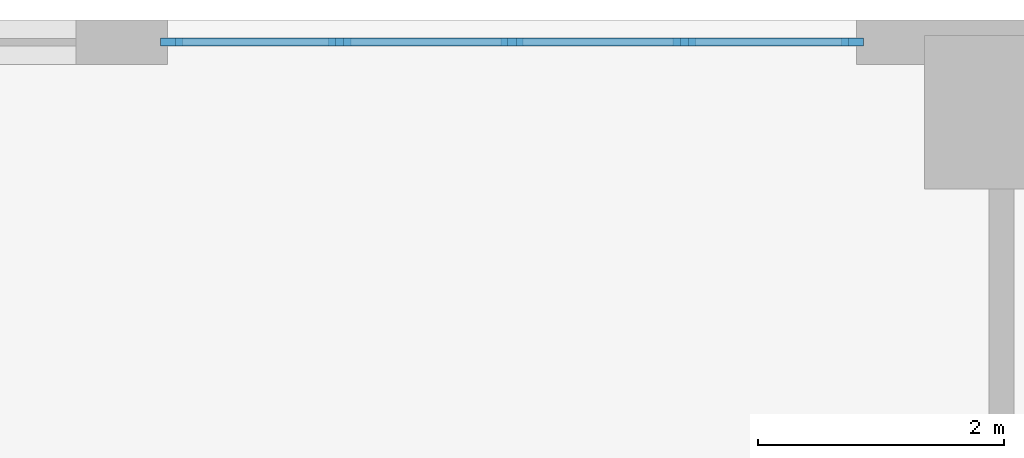
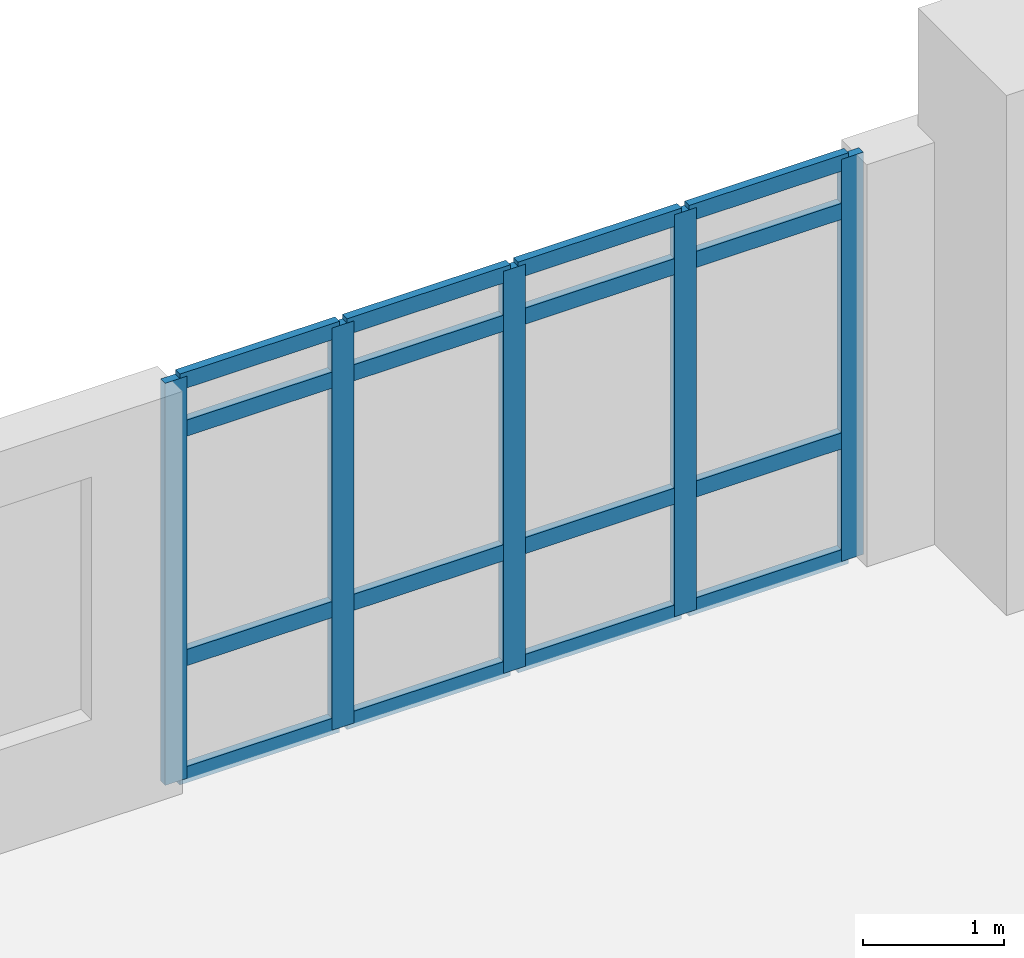
# One storey, part 4 of 16: 21 members, 1 element without a shape of its own.
"""IFC4 building model written with IfcOpenShell, lengths in metres."""

from ifc_helpers import new_model, si_unit, direction, frame, origin, origin_2d, place, context, subcontext, project, spatial, rectangle, extrude, material, material_profile, profile_set, type_object, element, aggregate, save


model = new_model("IFC4")

# Units and contexts
model_context = context("Model", 3, precision=1e-05, world=origin(), true_north=direction((0.0, 1.0)))
body_context = subcontext(model_context, "Body", "Model", "MODEL_VIEW")
ifc_project = project(units=[si_unit("LENGTHUNIT", "METRE"), si_unit("AREAUNIT", "SQUARE_METRE"), si_unit("VOLUMEUNIT", "CUBIC_METRE"), si_unit("PLANEANGLEUNIT", "RADIAN"), si_unit("MASSUNIT", "GRAM", prefix="KILO")], contexts=[model_context])

# Site, building, storey
site_placement = place(None, origin())
site = spatial("IfcSite", under=ifc_project, at=site_placement, CompositionType="ELEMENT")
building_placement = place(site_placement, origin())
building = spatial("IfcBuilding", under=site, at=building_placement, Name="Svetorya Sky Lyceum", CompositionType="ELEMENT")
storey_placement = place(building_placement, frame((0.0, 0.0, 11.10009765625)))
storey = spatial("IfcBuildingStorey", under=building, at=storey_placement, Name="L02", CompositionType="ELEMENT", Elevation=11.10009765625)

# Curtain wall, members
ifc_material_1 = material(Name="Thermally broken anodized aluminium and triple low-E glass", Category="aluminium")
curtain_wall_type = type_object("IfcCurtainWallType", Name="CW2-SCH-RIB", PredefinedType="NOTDEFINED", material=ifc_material_1)
curtain_wall_placement = place(storey_placement, origin())
curtain_wall = element("IfcCurtainWall", 1, at=curtain_wall_placement, inside=storey, type_object=curtain_wall_type, Name="L02 Lyceum Classroom Ribbon Curtain Wall 18", PredefinedType="NOTDEFINED")
ifc_material_2 = material(Name="Thermally broken anodized aluminium EN AW-6060", Category="aluminium")
ifc_material_profile_1 = material_profile(ifc_material_2, rectangle(XDim=0.06494140625, YDim=0.179931640625, at=origin_2d()), Name="ALU MULLION 65x180")
ifc_profile_set_1 = profile_set([ifc_material_profile_1], Name="Thermally broken anodized aluminium EN AW-6060")
member_type_1 = type_object("IfcMemberType", Name="CWM-MUL-180", PredefinedType="MULLION", material=ifc_profile_set_1)
member_1_placement = place(storey_placement, frame((62.137451171875, 56.219970703125, 0.0), z_axis=(0.0, 0.0, 1.0), x_axis=(0.0, -1.0, 0.0)))
member_1 = element("IfcMember", 2, at=member_1_placement, type_object=member_type_1, Name="CW-2 mullion 1", PredefinedType="MULLION", context=body_context, shape_type="SweptSolid", body=[
    extrude(rectangle(XDim=0.06494140625, YDim=0.179931640625, at=origin_2d()), origin(), (0.0, 0.0, 1.0), 3.47998046875),
])
member_2_placement = place(storey_placement, frame((60.77001953125, 56.219970703125, 0.0), z_axis=(0.0, 0.0, 1.0), x_axis=(0.0, -1.0, 0.0)))
member_2 = element("IfcMember", 3, at=member_2_placement, type_object=member_type_1, Name="CW-2 mullion 2", PredefinedType="MULLION", context=body_context, shape_type="SweptSolid", body=[
    extrude(rectangle(XDim=0.06494140625, YDim=0.179931640625, at=origin_2d()), origin(), (0.0, 0.0, 1.0), 3.47998046875),
])
member_3_placement = place(storey_placement, frame((59.3701171875, 56.219970703125, 0.0), z_axis=(0.0, 0.0, 1.0), x_axis=(0.0, -1.0, 0.0)))
member_3 = element("IfcMember", 4, at=member_3_placement, type_object=member_type_1, Name="CW-2 mullion 3", PredefinedType="MULLION", context=body_context, shape_type="SweptSolid", body=[
    extrude(rectangle(XDim=0.06494140625, YDim=0.179931640625, at=origin_2d()), origin(), (0.0, 0.0, 1.0), 3.47998046875),
])
member_4_placement = place(storey_placement, frame((57.969970703125, 56.219970703125, 0.0), z_axis=(0.0, 0.0, 1.0), x_axis=(0.0, -1.0, 0.0)))
member_4 = element("IfcMember", 5, at=member_4_placement, type_object=member_type_1, Name="CW-2 mullion 4", PredefinedType="MULLION", context=body_context, shape_type="SweptSolid", body=[
    extrude(rectangle(XDim=0.06494140625, YDim=0.179931640625, at=origin_2d()), origin(), (0.0, 0.0, 1.0), 3.47998046875),
])
member_5_placement = place(storey_placement, frame((56.6025390625, 56.219970703125, 0.0), z_axis=(0.0, 0.0, 1.0), x_axis=(0.0, -1.0, 0.0)))
member_5 = element("IfcMember", 6, at=member_5_placement, type_object=member_type_1, Name="CW-2 mullion 5", PredefinedType="MULLION", context=body_context, shape_type="SweptSolid", body=[
    extrude(rectangle(XDim=0.06494140625, YDim=0.179931640625, at=origin_2d()), origin(), (0.0, 0.0, 1.0), 3.47998046875),
])
ifc_material_profile_2 = material_profile(ifc_material_2, rectangle(XDim=0.06494140625, YDim=0.139892578125, at=origin_2d()), Name="ALU TRANSOM 65x140")
ifc_profile_set_2 = profile_set([ifc_material_profile_2], Name="Thermally broken anodized aluminium EN AW-6060")
member_type_2 = type_object("IfcMemberType", Name="CWM-TRN-140", PredefinedType="USERDEFINED", material=ifc_profile_set_2)
member_6_placement = place(storey_placement, frame((62.1064453125, 56.219970703125, 0.032470703125), z_axis=(-1.0, 0.0, 0.0), x_axis=(0.0, -1.0, 0.0)))
member_6 = element("IfcMember", 7, at=member_6_placement, type_object=member_type_2, Name="CW-2 transom 1.1", ObjectType="TRANSOM", PredefinedType="USERDEFINED", context=body_context, shape_type="SweptSolid", body=[
    extrude(rectangle(XDim=0.06494140625, YDim=0.139892578125, at=origin_2d()), origin(), (0.0, 0.0, 1.0), 1.305419921875),
])
member_7_placement = place(storey_placement, frame((62.1064453125, 56.219970703125, 1.0439453125), z_axis=(-1.0, 0.0, 0.0), x_axis=(0.0, -1.0, 0.0)))
member_7 = element("IfcMember", 8, at=member_7_placement, type_object=member_type_2, Name="CW-2 transom 1.2", ObjectType="TRANSOM", PredefinedType="USERDEFINED", context=body_context, shape_type="SweptSolid", body=[
    extrude(rectangle(XDim=0.06494140625, YDim=0.139892578125, at=origin_2d()), origin(), (0.0, 0.0, 1.0), 1.305419921875),
])
member_8_placement = place(storey_placement, frame((62.1064453125, 56.219970703125, 3.02978515625), z_axis=(-1.0, 0.0, 0.0), x_axis=(0.0, -1.0, 0.0)))
member_8 = element("IfcMember", 9, at=member_8_placement, type_object=member_type_2, Name="CW-2 transom 1.3", ObjectType="TRANSOM", PredefinedType="USERDEFINED", context=body_context, shape_type="SweptSolid", body=[
    extrude(rectangle(XDim=0.06494140625, YDim=0.139892578125, at=origin_2d()), origin(), (0.0, 0.0, 1.0), 1.305419921875),
])
member_9_placement = place(storey_placement, frame((62.1064453125, 56.219970703125, 3.447509765625), z_axis=(-1.0, 0.0, 0.0), x_axis=(0.0, -1.0, 0.0)))
member_9 = element("IfcMember", 10, at=member_9_placement, type_object=member_type_2, Name="CW-2 transom 1.4", ObjectType="TRANSOM", PredefinedType="USERDEFINED", context=body_context, shape_type="SweptSolid", body=[
    extrude(rectangle(XDim=0.06494140625, YDim=0.139892578125, at=origin_2d()), origin(), (0.0, 0.0, 1.0), 1.305419921875),
])
member_10_placement = place(storey_placement, frame((60.739013671875, 56.219970703125, 0.032470703125), z_axis=(-1.0, 0.0, 0.0), x_axis=(0.0, -1.0, 0.0)))
member_10 = element("IfcMember", 11, at=member_10_placement, type_object=member_type_2, Name="CW-2 transom 2.1", ObjectType="TRANSOM", PredefinedType="USERDEFINED", context=body_context, shape_type="SweptSolid", body=[
    extrude(rectangle(XDim=0.06494140625, YDim=0.139892578125, at=origin_2d()), origin(), (0.0, 0.0, 1.0), 1.338134765625),
])
member_11_placement = place(storey_placement, frame((60.739013671875, 56.219970703125, 1.0439453125), z_axis=(-1.0, 0.0, 0.0), x_axis=(0.0, -1.0, 0.0)))
member_11 = element("IfcMember", 12, at=member_11_placement, type_object=member_type_2, Name="CW-2 transom 2.2", ObjectType="TRANSOM", PredefinedType="USERDEFINED", context=body_context, shape_type="SweptSolid", body=[
    extrude(rectangle(XDim=0.06494140625, YDim=0.139892578125, at=origin_2d()), origin(), (0.0, 0.0, 1.0), 1.338134765625),
])
member_12_placement = place(storey_placement, frame((60.739013671875, 56.219970703125, 3.02978515625), z_axis=(-1.0, 0.0, 0.0), x_axis=(0.0, -1.0, 0.0)))
member_12 = element("IfcMember", 13, at=member_12_placement, type_object=member_type_2, Name="CW-2 transom 2.3", ObjectType="TRANSOM", PredefinedType="USERDEFINED", context=body_context, shape_type="SweptSolid", body=[
    extrude(rectangle(XDim=0.06494140625, YDim=0.139892578125, at=origin_2d()), origin(), (0.0, 0.0, 1.0), 1.338134765625),
])
member_13_placement = place(storey_placement, frame((60.739013671875, 56.219970703125, 3.447509765625), z_axis=(-1.0, 0.0, 0.0), x_axis=(0.0, -1.0, 0.0)))
member_13 = element("IfcMember", 14, at=member_13_placement, type_object=member_type_2, Name="CW-2 transom 2.4", ObjectType="TRANSOM", PredefinedType="USERDEFINED", context=body_context, shape_type="SweptSolid", body=[
    extrude(rectangle(XDim=0.06494140625, YDim=0.139892578125, at=origin_2d()), origin(), (0.0, 0.0, 1.0), 1.338134765625),
])
member_14_placement = place(storey_placement, frame((59.339111328125, 56.219970703125, 0.032470703125), z_axis=(-1.0, 0.0, 0.0), x_axis=(0.0, -1.0, 0.0)))
member_14 = element("IfcMember", 15, at=member_14_placement, type_object=member_type_2, Name="CW-2 transom 3.1", ObjectType="TRANSOM", PredefinedType="USERDEFINED", context=body_context, shape_type="SweptSolid", body=[
    extrude(rectangle(XDim=0.06494140625, YDim=0.139892578125, at=origin_2d()), origin(), (0.0, 0.0, 1.0), 1.338134765625),
])
member_15_placement = place(storey_placement, frame((59.339111328125, 56.219970703125, 1.0439453125), z_axis=(-1.0, 0.0, 0.0), x_axis=(0.0, -1.0, 0.0)))
member_15 = element("IfcMember", 16, at=member_15_placement, type_object=member_type_2, Name="CW-2 transom 3.2", ObjectType="TRANSOM", PredefinedType="USERDEFINED", context=body_context, shape_type="SweptSolid", body=[
    extrude(rectangle(XDim=0.06494140625, YDim=0.139892578125, at=origin_2d()), origin(), (0.0, 0.0, 1.0), 1.338134765625),
])
member_16_placement = place(storey_placement, frame((59.339111328125, 56.219970703125, 3.02978515625), z_axis=(-1.0, 0.0, 0.0), x_axis=(0.0, -1.0, 0.0)))
member_16 = element("IfcMember", 17, at=member_16_placement, type_object=member_type_2, Name="CW-2 transom 3.3", ObjectType="TRANSOM", PredefinedType="USERDEFINED", context=body_context, shape_type="SweptSolid", body=[
    extrude(rectangle(XDim=0.06494140625, YDim=0.139892578125, at=origin_2d()), origin(), (0.0, 0.0, 1.0), 1.338134765625),
])
member_17_placement = place(storey_placement, frame((59.339111328125, 56.219970703125, 3.447509765625), z_axis=(-1.0, 0.0, 0.0), x_axis=(0.0, -1.0, 0.0)))
member_17 = element("IfcMember", 18, at=member_17_placement, type_object=member_type_2, Name="CW-2 transom 3.4", ObjectType="TRANSOM", PredefinedType="USERDEFINED", context=body_context, shape_type="SweptSolid", body=[
    extrude(rectangle(XDim=0.06494140625, YDim=0.139892578125, at=origin_2d()), origin(), (0.0, 0.0, 1.0), 1.338134765625),
])
member_18_placement = place(storey_placement, frame((57.93896484375, 56.219970703125, 0.032470703125), z_axis=(-1.0, 0.0, 0.0), x_axis=(0.0, -1.0, 0.0)))
member_18 = element("IfcMember", 19, at=member_18_placement, type_object=member_type_2, Name="CW-2 transom 4.1", ObjectType="TRANSOM", PredefinedType="USERDEFINED", context=body_context, shape_type="SweptSolid", body=[
    extrude(rectangle(XDim=0.06494140625, YDim=0.139892578125, at=origin_2d()), origin(), (0.0, 0.0, 1.0), 1.305419921875),
])
member_19_placement = place(storey_placement, frame((57.93896484375, 56.219970703125, 1.0439453125), z_axis=(-1.0, 0.0, 0.0), x_axis=(0.0, -1.0, 0.0)))
member_19 = element("IfcMember", 20, at=member_19_placement, type_object=member_type_2, Name="CW-2 transom 4.2", ObjectType="TRANSOM", PredefinedType="USERDEFINED", context=body_context, shape_type="SweptSolid", body=[
    extrude(rectangle(XDim=0.06494140625, YDim=0.139892578125, at=origin_2d()), origin(), (0.0, 0.0, 1.0), 1.305419921875),
])
member_20_placement = place(storey_placement, frame((57.93896484375, 56.219970703125, 3.02978515625), z_axis=(-1.0, 0.0, 0.0), x_axis=(0.0, -1.0, 0.0)))
member_20 = element("IfcMember", 21, at=member_20_placement, type_object=member_type_2, Name="CW-2 transom 4.3", ObjectType="TRANSOM", PredefinedType="USERDEFINED", context=body_context, shape_type="SweptSolid", body=[
    extrude(rectangle(XDim=0.06494140625, YDim=0.139892578125, at=origin_2d()), origin(), (0.0, 0.0, 1.0), 1.305419921875),
])
member_21_placement = place(storey_placement, frame((57.93896484375, 56.219970703125, 3.447509765625), z_axis=(-1.0, 0.0, 0.0), x_axis=(0.0, -1.0, 0.0)))
member_21 = element("IfcMember", 22, at=member_21_placement, type_object=member_type_2, Name="CW-2 transom 4.4", ObjectType="TRANSOM", PredefinedType="USERDEFINED", context=body_context, shape_type="SweptSolid", body=[
    extrude(rectangle(XDim=0.06494140625, YDim=0.139892578125, at=origin_2d()), origin(), (0.0, 0.0, 1.0), 1.305419921875),
])
aggregate(curtain_wall, [member_1, member_2, member_3, member_4, member_5, member_6, member_7, member_8, member_9, member_10, member_11, member_12, member_13, member_14, member_15, member_16, member_17, member_18, member_19, member_20, member_21])

save(model, "model.ifc")
